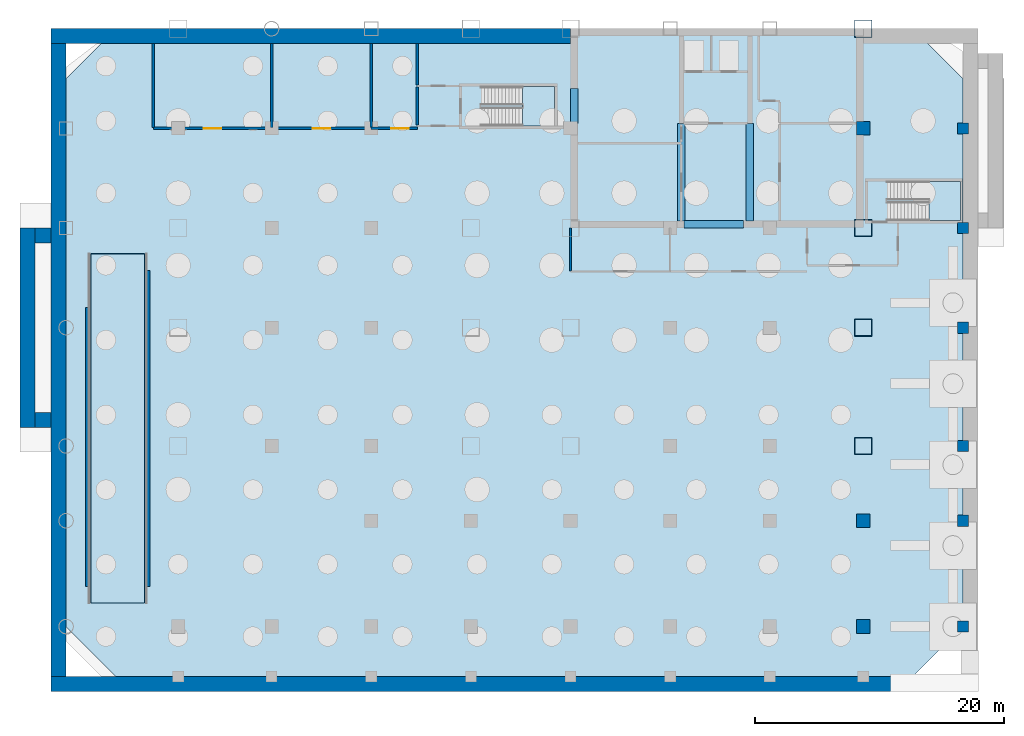
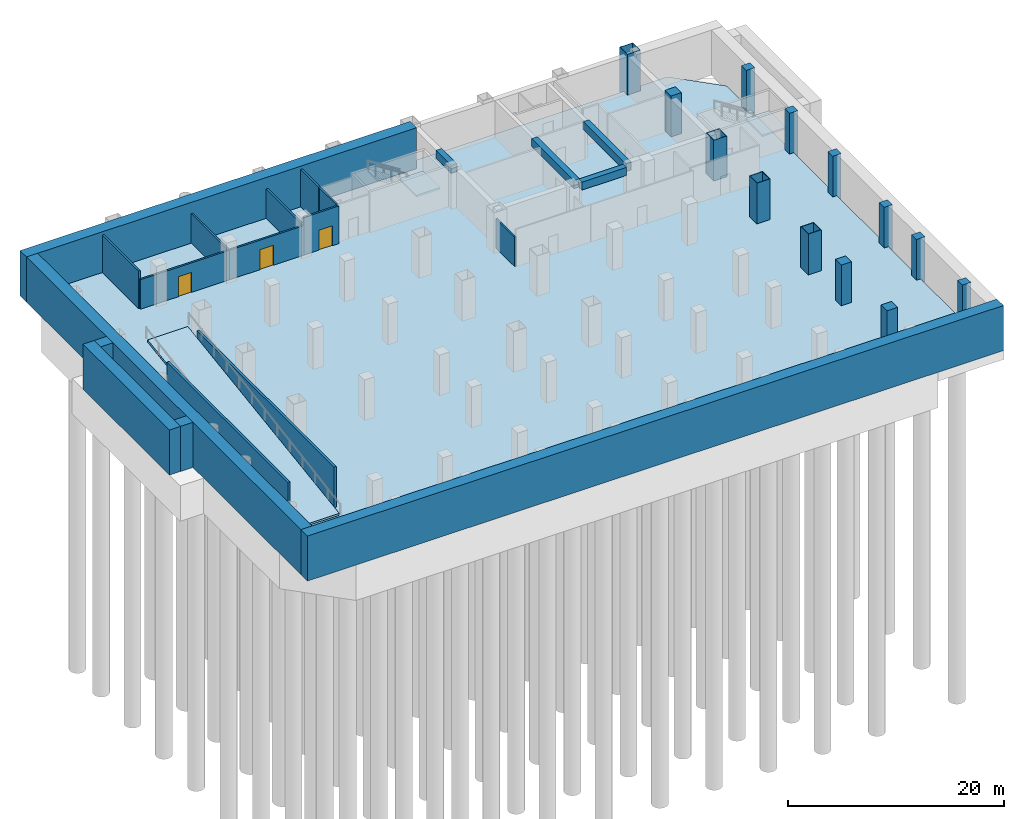
# One storey, part 2 of 8: 17 walls, 13 columns, 4 beams, 4 slabs, 3 doors, 3 openings, 2 elements without a shape of their own.
"""IFC4 building model written with IfcOpenShell, lengths in metres."""

from ifc_helpers import new_model, si_unit, direction, frame, frame_2d, origin, origin_2d, place, context, subcontext, project, spatial, polyline, rectangle, hollow_rectangle, outline, extrude, material, layer, layer_set, material_profile, profile_set, type_object, element, fill, aggregate, save


model = new_model("IFC4")

# Units and contexts
model_context = context("Model", 3, precision=1e-05, world=origin(), true_north=direction((0.0, 1.0)))
body_context = subcontext(model_context, "Body", "Model", "MODEL_VIEW")
ifc_project = project(units=[si_unit("LENGTHUNIT", "METRE"), si_unit("AREAUNIT", "SQUARE_METRE"), si_unit("VOLUMEUNIT", "CUBIC_METRE"), si_unit("PLANEANGLEUNIT", "RADIAN"), si_unit("MASSUNIT", "GRAM", prefix="KILO")], contexts=[model_context])

# Site, building, storey
site_placement = place(None, origin())
site = spatial("IfcSite", under=ifc_project, at=site_placement, CompositionType="ELEMENT")
building_placement = place(site_placement, origin())
building = spatial("IfcBuilding", under=site, at=building_placement, Name="Qianrong Seaharbour Tower", CompositionType="ELEMENT")
storey_placement = place(building_placement, frame((0.0, 0.0, -13.800048828125)))
storey = spatial("IfcBuildingStorey", under=building, at=storey_placement, Name="B03", CompositionType="ELEMENT", Elevation=-13.800048828125)

# Columns
ifc_material_1 = material(Name="Structural steel SN490B", Category="steel")
ifc_material_profile_1 = material_profile(ifc_material_1, hollow_rectangle(XDim=1.39990234375, YDim=1.39990234375, WallThickness=0.050048828125, at=origin_2d()), Name="BOX1400x1400x50")
ifc_profile_set_1 = profile_set([ifc_material_profile_1], Name="Structural steel SN490B")
column_type_1 = type_object("IfcColumnType", Name="COL-CFT-1400", PredefinedType="COLUMN", material=ifc_profile_set_1)
for number, where, z_axis, x_axis, name in (
    (1, (64.0, 18.5, -0.5), (0.0, 0.0, 1.0), (1.0, 0.0, 0.0), "B03 Column MC-1 at G9/GD"),
    (2, (64.0, 28.0, -0.5), (0.0, 0.0, 1.0), (1.0, 0.0, 0.0), "B03 Column MC-1 at G9/GE"),
    (3, (64.0, 36.0, -0.5), (0.0, 0.0, 1.0), (1.0, 0.0, 0.0), "B03 Column MC-1 at G9/GF"),
    (4, (64.0, 52.0, -0.5), (0.0, 0.0, 1.0), (1.0, 0.0, 0.0), "B03 Column MC-1 at G9/GH"),
):
    element("IfcColumn", number, at=place(storey_placement, frame(where, z_axis=z_axis, x_axis=x_axis)), inside=storey, type_object=column_type_1, Name=name, PredefinedType="COLUMN", context=body_context, shape_type="SweptSolid", body=[
        extrude(hollow_rectangle(XDim=1.39990234375, YDim=1.39990234375, WallThickness=0.050048828125, at=origin_2d()), origin(), (0.0, 0.0, 1.0), 5.10009765625),
    ])
ifc_material_2 = material(Name="Concrete C70/85", Category="concrete")
ifc_material_profile_2 = material_profile(ifc_material_2, rectangle(XDim=1.10009765625, YDim=1.10009765625, at=origin_2d()), Name="RC1100x1100")
ifc_profile_set_2 = profile_set([ifc_material_profile_2], Name="Concrete C70/85")
column_type_2 = type_object("IfcColumnType", Name="COL-INT-RC1100", PredefinedType="COLUMN", material=ifc_profile_set_2)
for number, where, z_axis, x_axis, name in (
    (5, (64.0, 4.0, -0.5), (0.0, 0.0, 1.0), (1.0, 0.0, 0.0), "B03 Column IC-1 at G9/GB"),
    (6, (64.0, 12.5, -0.5), (0.0, 0.0, 1.0), (1.0, 0.0, 0.0), "B03 Column IC-1 at G9/GC"),
    (7, (64.0, 44.0, -0.5), (0.0, 0.0, 1.0), (1.0, 0.0, 0.0), "B03 Column IC-1 at G9/GG"),
):
    element("IfcColumn", number, at=place(storey_placement, frame(where, z_axis=z_axis, x_axis=x_axis)), inside=storey, type_object=column_type_2, Name=name, PredefinedType="COLUMN", context=body_context, shape_type="SweptSolid", body=[
        extrude(rectangle(XDim=1.10009765625, YDim=1.10009765625, at=origin_2d()), origin(), (0.0, 0.0, 1.0), 5.10009765625),
    ])
ifc_material_3 = material(Name="Concrete C60/75", Category="concrete")
ifc_material_profile_3 = material_profile(ifc_material_3, rectangle(XDim=0.89990234375, YDim=0.89990234375, at=origin_2d()), Name="RC900x900")
ifc_profile_set_3 = profile_set([ifc_material_profile_3], Name="Concrete C60/75")
column_type_3 = type_object("IfcColumnType", Name="COL-PIL-RC900", PredefinedType="PILASTER", material=ifc_profile_set_3)
for number, where, z_axis, x_axis, name in (
    (8, (72.0, 4.0, -0.5), (0.0, 0.0, 1.0), (1.0, 0.0, 0.0), "B03 Column CP-1 at G10/GB"),
    (9, (72.0, 12.5, -0.5), (0.0, 0.0, 1.0), (1.0, 0.0, 0.0), "B03 Column CP-1 at G10/GC"),
    (10, (72.0, 18.5, -0.5), (0.0, 0.0, 1.0), (1.0, 0.0, 0.0), "B03 Column CP-1 at G10/GD"),
    (11, (72.0, 28.0, -0.5), (0.0, 0.0, 1.0), (1.0, 0.0, 0.0), "B03 Column CP-1 at G10/GE"),
    (12, (72.0, 36.0, -0.5), (0.0, 0.0, 1.0), (1.0, 0.0, 0.0), "B03 Column CP-1 at G10/GF"),
    (13, (72.0, 44.0, -0.5), (0.0, 0.0, 1.0), (1.0, 0.0, 0.0), "B03 Column CP-1 at G10/GG"),
):
    element("IfcColumn", number, at=place(storey_placement, frame(where, z_axis=z_axis, x_axis=x_axis)), inside=storey, type_object=column_type_3, Name=name, PredefinedType="PILASTER", context=body_context, shape_type="SweptSolid", body=[
        extrude(rectangle(XDim=0.89990234375, YDim=0.89990234375, at=origin_2d()), origin(), (0.0, 0.0, 1.0), 5.10009765625),
    ])

# Beams
ifc_material_profile_4 = material_profile(ifc_material_2, rectangle(XDim=0.60009765625, YDim=0.89990234375, at=origin_2d()), Name="RC600x900")
ifc_profile_set_4 = profile_set([ifc_material_profile_4], Name="Concrete C70/85")
beam_type = type_object("IfcBeamType", Name="BM-LINTEL-900", PredefinedType="LINTEL", material=ifc_profile_set_4)
beam_1_placement = place(storey_placement, frame((40.7900390625, 44.39990234375, 3.7900390625), z_axis=(0.0, 1.0, 0.0), x_axis=(-1.0, 0.0, 0.0)))
element("IfcBeam", 14, at=beam_1_placement, inside=storey, type_object=beam_type, Name="B03 Core Coupling Lintel Beam West", PredefinedType="LINTEL", context=body_context, shape_type="SweptSolid", body=[
    extrude(rectangle(XDim=0.60009765625, YDim=0.89990234375, at=origin_2d()), origin(), (0.0, 0.0, 1.0), 2.800048828125),
])
beam_2_placement = place(storey_placement, frame((49.60009765625, 36.2900390625, 3.7900390625), z_axis=(1.0, 0.0, 0.0), x_axis=(0.0, 1.0, 0.0)))
element("IfcBeam", 15, at=beam_2_placement, inside=storey, type_object=beam_type, Name="B03 Core Coupling Lintel Beam CBC", PredefinedType="LINTEL", context=body_context, shape_type="SweptSolid", body=[
    extrude(rectangle(XDim=0.60009765625, YDim=0.89990234375, at=origin_2d()), origin(), (0.0, 0.0, 1.0), 4.7998046875),
])
for number, where, z_axis, x_axis, name in (
    (16, (49.39990234375, 36.580078125, 3.7900390625), (0.0, 1.0, 0.0), (-1.0, 0.0, 0.0), "B03 Internal Core Coupling Beam IW1"),
    (17, (54.89990234375, 36.580078125, 3.7900390625), (0.0, 1.0, 0.0), (-1.0, 0.0, 0.0), "B03 Internal Core Coupling Beam IW2"),
):
    element("IfcBeam", number, at=place(storey_placement, frame(where, z_axis=z_axis, x_axis=x_axis)), inside=storey, type_object=beam_type, Name=name, PredefinedType="LINTEL", context=body_context, shape_type="SweptSolid", body=[
        extrude(rectangle(XDim=0.60009765625, YDim=0.89990234375, at=origin_2d()), origin(), (0.0, 0.0, 1.0), 7.81982421875),
    ])

# Slab
ifc_material_4 = material(Name="Concrete C50/60", Category="concrete")
ifc_layer_1 = layer(ifc_material_4, 0.5)
ifc_layer_set_1 = layer_set([ifc_layer_1], Name="Concrete C50/60")
slab_type_1 = type_object("IfcSlabType", Name="SLAB-BASE-500", PredefinedType="BASESLAB", material=ifc_layer_set_1)
slab_1_placement = place(storey_placement, frame((0.0, 0.0, -0.5)))
element("IfcSlab", 18, at=slab_1_placement, inside=storey, type_object=slab_type_1, Name="B03 Structural Floor Slab", PredefinedType="BASESLAB", context=body_context, shape_type="SweptSolid", body=[
    extrude(outline(polyline([(4.0, 0.0), (68.0, 0.0), (72.0, 4.0), (72.0, 48.0), (68.0, 52.0), (4.0, 52.0), (0.0, 48.0), (0.0, 4.0), (4.0, 0.0)])), origin(), (0.0, 0.0, 1.0), 0.5),
])

# Stair, slab
stair_type = type_object("IfcStairType", Name="STAIR-DOGLEG-1500-R26", PredefinedType="HALF_TURN_STAIR", material=ifc_material_4)
stair_1_placement = place(storey_placement, origin())
stair_1 = element("IfcStair", 19, at=stair_1_placement, inside=storey, type_object=stair_type, Name="B03 Protected Escape Stair BST-1", PredefinedType="HALF_TURN_STAIR")
ifc_layer_2 = layer(ifc_material_4, 0.199951171875)
ifc_layer_set_2 = layer_set([ifc_layer_2], Name="Concrete C50/60")
slab_type_2 = type_object("IfcSlabType", Name="SLAB-STAIR-LANDING-200", PredefinedType="LANDING", material=ifc_layer_set_2)
slab_2_placement = place(storey_placement, frame((0.0, 0.0, 2.10009765625)))
slab_2 = element("IfcSlab", 20, at=slab_2_placement, type_object=slab_type_2, Name="BST-1 landing 1", PredefinedType="LANDING", context=body_context, shape_type="SweptSolid", body=[
    extrude(outline(polyline([(36.659912109375, 44.199951171875), (39.199951171875, 44.199951171875), (39.199951171875, 47.35009765625), (36.659912109375, 47.35009765625), (36.659912109375, 44.199951171875)])), origin(), (0.0, 0.0, 1.0), 0.199951171875),
])
aggregate(stair_1, [slab_2])

stair_2_placement = place(storey_placement, origin())
stair_2 = element("IfcStair", 21, at=stair_2_placement, inside=storey, type_object=stair_type, Name="B03 Protected Escape Stair BST-2", PredefinedType="HALF_TURN_STAIR")
slab_3_placement = place(storey_placement, frame((0.0, 0.0, 2.10009765625)))
slab_3 = element("IfcSlab", 22, at=slab_3_placement, type_object=slab_type_2, Name="BST-2 landing 1", PredefinedType="LANDING", context=body_context, shape_type="SweptSolid", body=[
    extrude(outline(polyline([(69.260009765625, 36.60009765625), (71.800048828125, 36.60009765625), (71.800048828125, 39.75), (69.260009765625, 39.75), (69.260009765625, 36.60009765625)])), origin(), (0.0, 0.0, 1.0), 0.199951171875),
])
aggregate(stair_2, [slab_3])

# Slab
ifc_layer_3 = layer(ifc_material_4, 0.25)
ifc_layer_set_3 = layer_set([ifc_layer_3], Name="Concrete C50/60")
slab_type_3 = type_object("IfcSlabType", Name="SLAB-VEH-RAMP-250", PredefinedType="USERDEFINED", material=ifc_layer_set_3)
slab_4_placement = place(storey_placement, frame((2.0, 5.8798828125, 0.2451171875), z_axis=(0.0, -0.144853077764, 0.989453175174), x_axis=(1.0, 0.0, 0.0)))
element("IfcSlab", 23, at=slab_4_placement, inside=storey, type_object=slab_type_3, Name="Car Park Structural Concrete Vehicular Ramp Slab B03 to B02", ObjectType="VEHICLE RAMP SLAB", PredefinedType="USERDEFINED", context=body_context, shape_type="SweptSolid", body=[
    extrude(outline(polyline([(0.0, 0.0), (4.300048828125, 0.0), (4.300048828125, 28.33892473745863), (0.0, 28.33892473745863), (0.0, 0.0)])), origin(), (0.0, 0.0, -1.0), 0.25),
])

# Walls
ifc_layer_4 = layer(ifc_material_4, 1.199951171875)
ifc_layer_set_4 = layer_set([ifc_layer_4], Name="Concrete C50/60")
wall_type_1 = type_object("IfcWallType", Name="WALL-DW-1200", PredefinedType="USERDEFINED", material=ifc_layer_set_4)
wall_1_placement = place(storey_placement, frame((-3.10009765625, 20.0, -0.5), z_axis=(0.0, 0.0, 1.0), x_axis=(0.0, 1.0, 0.0)))
element("IfcWall", 24, at=wall_1_placement, inside=storey, type_object=wall_type_1, Name="B03 West Ramp Retaining Buttress Wall", ObjectType="DIAPHRAGM WALL", PredefinedType="USERDEFINED", context=body_context, shape_type="SweptSolid", body=[
    extrude(rectangle(XDim=16.0, YDim=1.199951171875, at=frame_2d((8.0, 0.0))), origin(), (0.0, 0.0, 1.0), 5.10009765625),
])
for number, where, z_axis, x_axis, name in (
    (25, (-2.5, 20.60009765625, -0.5), (0.0, 0.0, 1.0), (1.0, 0.0, 0.0), "B03 West Ramp Buttress Return Wall S"),
    (26, (-2.5, 35.39990234375, -0.5), (0.0, 0.0, 1.0), (1.0, 0.0, 0.0), "B03 West Ramp Buttress Return Wall N"),
):
    element("IfcWall", number, at=place(storey_placement, frame(where, z_axis=z_axis, x_axis=x_axis)), inside=storey, type_object=wall_type_1, Name=name, ObjectType="DIAPHRAGM WALL", PredefinedType="USERDEFINED", context=body_context, shape_type="SweptSolid", body=[
        extrude(rectangle(XDim=1.300048828125, YDim=1.199951171875, at=frame_2d((0.64990234375, 0.0))), origin(), (0.0, 0.0, 1.0), 5.10009765625),
    ])
wall_2_placement = place(storey_placement, frame((-1.199951171875, 51.39990234375, -0.5), z_axis=(0.0, 0.0, 1.0), x_axis=(1.0, 0.0, 0.0)))
element("IfcWall", 27, at=wall_2_placement, inside=storey, type_object=wall_type_1, Name="B03 North-West Diaphragm Retaining Wall", ObjectType="DIAPHRAGM WALL", PredefinedType="USERDEFINED", context=body_context, shape_type="SweptSolid", body=[
    extrude(rectangle(XDim=41.699951171875, YDim=1.199951171875, at=frame_2d((20.85009765625, 0.0))), origin(), (0.0, 0.0, 1.0), 5.10009765625),
])
wall_3_placement = place(storey_placement, frame((-1.199951171875, -0.60009765625, -0.5), z_axis=(0.0, 0.0, 1.0), x_axis=(1.0, 0.0, 0.0)))
element("IfcWall", 28, at=wall_3_placement, inside=storey, type_object=wall_type_1, Name="B03 South Diaphragm Retaining Wall", ObjectType="DIAPHRAGM WALL", PredefinedType="USERDEFINED", context=body_context, shape_type="SweptSolid", body=[
    extrude(rectangle(XDim=74.39990234375, YDim=1.199951171875, at=frame_2d((37.199951171875, 0.0))), origin(), (0.0, 0.0, 1.0), 5.10009765625),
])
wall_4_placement = place(storey_placement, frame((-0.60009765625, 0.0, -0.5), z_axis=(0.0, 0.0, 1.0), x_axis=(0.0, 1.0, 0.0)))
element("IfcWall", 29, at=wall_4_placement, inside=storey, type_object=wall_type_1, Name="B03 West Diaphragm Retaining Wall", ObjectType="DIAPHRAGM WALL", PredefinedType="USERDEFINED", context=body_context, shape_type="SweptSolid", body=[
    extrude(rectangle(XDim=50.800048828125, YDim=1.199951171875, at=frame_2d((25.39990234375, 0.0))), origin(), (0.0, 0.0, 1.0), 5.10009765625),
])
ifc_material_5 = material(Name="Double fire-rated gypsum board acoustic partition")
ifc_layer_5 = layer(ifc_material_5, 0.18994140625)
ifc_layer_set_5 = layer_set([ifc_layer_5], Name="Double fire-rated gypsum board acoustic partition")
wall_type_2 = type_object("IfcWallType", Name="WALL-FIRE-PART-190", PredefinedType="PARTITIONING", material=ifc_layer_set_5)
wall_5_placement = place(storey_placement, frame((28.199951171875, 44.2744140625, 0.0), z_axis=(0.0, 0.0, 1.0), x_axis=(0.0, 1.0, 0.0)))
element("IfcWall", 30, at=wall_5_placement, inside=storey, type_object=wall_type_2, Name="B03 Interior Partition Wall 010", PredefinedType="PARTITIONING", context=body_context, shape_type="SweptSolid", body=[
    extrude(rectangle(XDim=3.051025390625, YDim=0.18994140625, at=frame_2d((1.525390625, 0.0))), origin(), (0.0, 0.0, 1.0), 4.239990234375),
])
wall_6_placement = place(storey_placement, frame((16.5, 50.80810546875, 0.0), z_axis=(0.0, 0.0, 1.0), x_axis=(0.0, -1.0, 0.0)))
element("IfcWall", 31, at=wall_6_placement, inside=storey, type_object=wall_type_2, Name="B03 Interior Partition Wall 016", PredefinedType="PARTITIONING", context=body_context, shape_type="SweptSolid", body=[
    extrude(rectangle(XDim=6.72119140625, YDim=0.18994140625, at=frame_2d((3.360595703125, 0.0))), origin(), (0.0, 0.0, 1.0), 3.33203125),
])

# Wall, opening, door
wall_7_placement = place(storey_placement, frame((16.5, 44.0, 0.0), z_axis=(0.0, 0.0, 1.0), x_axis=(-1.0, 0.0, 0.0)))
wall_7 = element("IfcWall", 32, at=wall_7_placement, inside=storey, type_object=wall_type_2, Name="B03 Interior Partition Wall 017", PredefinedType="PARTITIONING", context=body_context, shape_type="SweptSolid", body=[
    extrude(rectangle(XDim=9.5, YDim=0.18994140625, at=frame_2d((4.75, 0.0))), origin(), (0.0, 0.0, 1.0), 3.33203125),
])
opening_1_placement = place(wall_7_placement, frame((4.050048828125, 0.0, 0.0)))
opening_1 = element("IfcOpeningElement", 33, at=opening_1_placement, cuts=wall_7, Name="Opening DP-01", PredefinedType="OPENING", context=body_context, shape_type="SweptSolid", body=[
    extrude(rectangle(XDim=1.39990234375, YDim=2.25, at=frame_2d((0.699951171875, 1.125))), frame((0.0, 0.10498046875, 0.0), z_axis=(0.0, -1.0, 0.0), x_axis=(1.0, 0.0, 0.0)), (0.0, 0.0, 1.0), 0.2099609375),
])
ifc_material_6 = material(Name="Acoustic timber and galvanized steel fire door assembly", Category="steel")
door_type = type_object("IfcDoorType", Name="DOOR-PLANT-PAIR-1400x2250", OperationType="DOUBLE_DOOR_SINGLE_SWING", PredefinedType="DOOR", material=ifc_material_6)
door_1_placement = place(opening_1_placement, origin())
door_1 = element("IfcDoor", 34, at=door_1_placement, inside=storey, type_object=door_type, Name="B03 Fire Water Tank Room Door", OperationType="DOUBLE_DOOR_SINGLE_SWING", OverallHeight=2.25, OverallWidth=1.39990234375, PredefinedType="DOOR", context=body_context, shape_type="SweptSolid", body=[
    extrude(rectangle(XDim=1.39990234375, YDim=2.25, at=frame_2d((0.699951171875, 1.125))), frame((0.0, 0.02490234375, 0.0), z_axis=(0.0, -1.0, 0.0), x_axis=(1.0, 0.0, 0.0)), (0.0, 0.0, 1.0), 0.050048828125),
])
fill(opening_1, door_1)

# Walls
wall_8_placement = place(storey_placement, frame((7.0, 44.0869140625, 0.0), z_axis=(0.0, 0.0, 1.0), x_axis=(0.0, 1.0, 0.0)))
element("IfcWall", 35, at=wall_8_placement, inside=storey, type_object=wall_type_2, Name="B03 Interior Partition Wall 018", PredefinedType="PARTITIONING", context=body_context, shape_type="SweptSolid", body=[
    extrude(rectangle(XDim=6.72119140625, YDim=0.18994140625, at=frame_2d((3.360595703125, 0.0))), origin(), (0.0, 0.0, 1.0), 4.239990234375),
])
wall_9_placement = place(storey_placement, frame((24.5, 50.80810546875, 0.0), z_axis=(0.0, 0.0, 1.0), x_axis=(0.0, -1.0, 0.0)))
element("IfcWall", 36, at=wall_9_placement, inside=storey, type_object=wall_type_2, Name="B03 Interior Partition Wall 019", PredefinedType="PARTITIONING", context=body_context, shape_type="SweptSolid", body=[
    extrude(rectangle(XDim=6.72119140625, YDim=0.18994140625, at=frame_2d((3.360595703125, 0.0))), origin(), (0.0, 0.0, 1.0), 3.33203125),
])

# Wall, opening, door
wall_10_placement = place(storey_placement, frame((24.5, 44.0, 0.0), z_axis=(0.0, 0.0, 1.0), x_axis=(-1.0, 0.0, 0.0)))
wall_10 = element("IfcWall", 37, at=wall_10_placement, inside=storey, type_object=wall_type_2, Name="B03 Interior Partition Wall 020", PredefinedType="PARTITIONING", context=body_context, shape_type="SweptSolid", body=[
    extrude(rectangle(XDim=8.0, YDim=0.18994140625, at=frame_2d((4.0, 0.0))), origin(), (0.0, 0.0, 1.0), 3.33203125),
])
opening_2_placement = place(wall_10_placement, frame((3.300048828125, 0.0, 0.0)))
opening_2 = element("IfcOpeningElement", 38, at=opening_2_placement, cuts=wall_10, Name="Opening DP-01", PredefinedType="OPENING", context=body_context, shape_type="SweptSolid", body=[
    extrude(rectangle(XDim=1.39990234375, YDim=2.25, at=frame_2d((0.699951171875, 1.125))), frame((0.0, 0.10498046875, 0.0), z_axis=(0.0, -1.0, 0.0), x_axis=(1.0, 0.0, 0.0)), (0.0, 0.0, 1.0), 0.2099609375),
])
door_2_placement = place(opening_2_placement, origin())
door_2 = element("IfcDoor", 39, at=door_2_placement, inside=storey, type_object=door_type, Name="B03 Domestic Booster Pump Room Door", OperationType="DOUBLE_DOOR_SINGLE_SWING", OverallHeight=2.25, OverallWidth=1.39990234375, PredefinedType="DOOR", context=body_context, shape_type="SweptSolid", body=[
    extrude(rectangle(XDim=1.39990234375, YDim=2.25, at=frame_2d((0.699951171875, 1.125))), frame((0.0, 0.02490234375, 0.0), z_axis=(0.0, -1.0, 0.0), x_axis=(1.0, 0.0, 0.0)), (0.0, 0.0, 1.0), 0.050048828125),
])
fill(opening_2, door_2)

wall_11_placement = place(storey_placement, frame((28.199951171875, 44.0, 0.0), z_axis=(0.0, 0.0, 1.0), x_axis=(-1.0, 0.0, 0.0)))
wall_11 = element("IfcWall", 40, at=wall_11_placement, inside=storey, type_object=wall_type_2, Name="B03 Interior Partition Wall 021", PredefinedType="PARTITIONING", context=body_context, shape_type="SweptSolid", body=[
    extrude(rectangle(XDim=3.699951171875, YDim=0.18994140625, at=frame_2d((1.85009765625, 0.0))), origin(), (0.0, 0.0, 1.0), 4.239990234375),
])
opening_3_placement = place(wall_11_placement, frame((0.699951171875, 0.0, 0.0)))
opening_3 = element("IfcOpeningElement", 41, at=opening_3_placement, cuts=wall_11, Name="Opening DP-01", PredefinedType="OPENING", context=body_context, shape_type="SweptSolid", body=[
    extrude(rectangle(XDim=1.39990234375, YDim=2.25, at=frame_2d((0.699951171875, 1.125))), frame((0.0, 0.10498046875, 0.0), z_axis=(0.0, -1.0, 0.0), x_axis=(1.0, 0.0, 0.0)), (0.0, 0.0, 1.0), 0.2099609375),
])
door_3_placement = place(opening_3_placement, origin())
door_3 = element("IfcDoor", 42, at=door_3_placement, inside=storey, type_object=door_type, Name="B03 Chiller Plant Room Door", OperationType="DOUBLE_DOOR_SINGLE_SWING", OverallHeight=2.25, OverallWidth=1.39990234375, PredefinedType="DOOR", context=body_context, shape_type="SweptSolid", body=[
    extrude(rectangle(XDim=1.39990234375, YDim=2.25, at=frame_2d((0.699951171875, 1.125))), frame((0.0, 0.02490234375, 0.0), z_axis=(0.0, -1.0, 0.0), x_axis=(1.0, 0.0, 0.0)), (0.0, 0.0, 1.0), 0.050048828125),
])
fill(opening_3, door_3)

# Walls
wall_12_placement = place(storey_placement, frame((28.199951171875, 50.80810546875, 0.0), z_axis=(0.0, 0.0, 1.0), x_axis=(0.0, -1.0, 0.0)))
element("IfcWall", 43, at=wall_12_placement, inside=storey, type_object=wall_type_2, Name="B03 Interior Partition Wall 022", PredefinedType="PARTITIONING", context=body_context, shape_type="SweptSolid", body=[
    extrude(rectangle(XDim=3.33349609375, YDim=0.18994140625, at=frame_2d((1.666748046875, 0.0))), origin(), (0.0, 0.0, 1.0), 4.239990234375),
])
ifc_layer_6 = layer(ifc_material_4, 0.239990234375)
ifc_layer_set_6 = layer_set([ifc_layer_6], Name="Concrete C50/60")
wall_type_3 = type_object("IfcWallType", Name="WALL-SHAFT-RC240", PredefinedType="SOLIDWALL", material=ifc_layer_set_6)
wall_13_placement = place(storey_placement, frame((1.679931640625, 7.199951171875, -0.5), z_axis=(0.0, 0.0, 1.0), x_axis=(0.0, 1.0, 0.0)))
element("IfcWall", 44, at=wall_13_placement, inside=storey, type_object=wall_type_3, Name="B03 Vehicular Ramp Structural Support Wall W", PredefinedType="SOLIDWALL", context=body_context, shape_type="SweptSolid", body=[
    extrude(rectangle(XDim=22.400146484375, YDim=0.239990234375, at=frame_2d((11.2001953125, 0.0))), origin(), (0.0, 0.0, 1.0), 5.10009765625),
])
wall_14_placement = place(storey_placement, frame((6.6201171875, 7.199951171875, -0.5), z_axis=(0.0, 0.0, 1.0), x_axis=(0.0, 1.0, 0.0)))
element("IfcWall", 45, at=wall_14_placement, inside=storey, type_object=wall_type_3, Name="B03 Vehicular Ramp Structural Support Wall E", PredefinedType="SOLIDWALL", context=body_context, shape_type="SweptSolid", body=[
    extrude(rectangle(XDim=25.400146484375, YDim=0.239990234375, at=frame_2d((12.7001953125, 0.0))), origin(), (0.0, 0.0, 1.0), 5.10009765625),
])
ifc_material_7 = material(Name="Water-resistant cement board sanitary partition")
ifc_layer_7 = layer(ifc_material_7, 0.1298828125)
ifc_layer_set_7 = layer_set([ifc_layer_7], Name="Water-resistant cement board sanitary partition")
wall_type_4 = type_object("IfcWallType", Name="WALL-WET-PART-130", PredefinedType="PARTITIONING", material=ifc_layer_set_7)
wall_15_placement = place(storey_placement, frame((40.5, 32.556884765625, 0.0), z_axis=(0.0, 0.0, 1.0), x_axis=(0.0, 1.0, 0.0)))
element("IfcWall", 46, at=wall_15_placement, inside=storey, type_object=wall_type_4, Name="B03 Interior Partition Wall 026", PredefinedType="PARTITIONING", context=body_context, shape_type="SweptSolid", body=[
    extrude(rectangle(XDim=3.443115234375, YDim=0.1298828125, at=frame_2d((1.7216796875, 0.0))), origin(), (0.0, 0.0, 1.0), 3.33203125),
])

save(model, "model.ifc")
